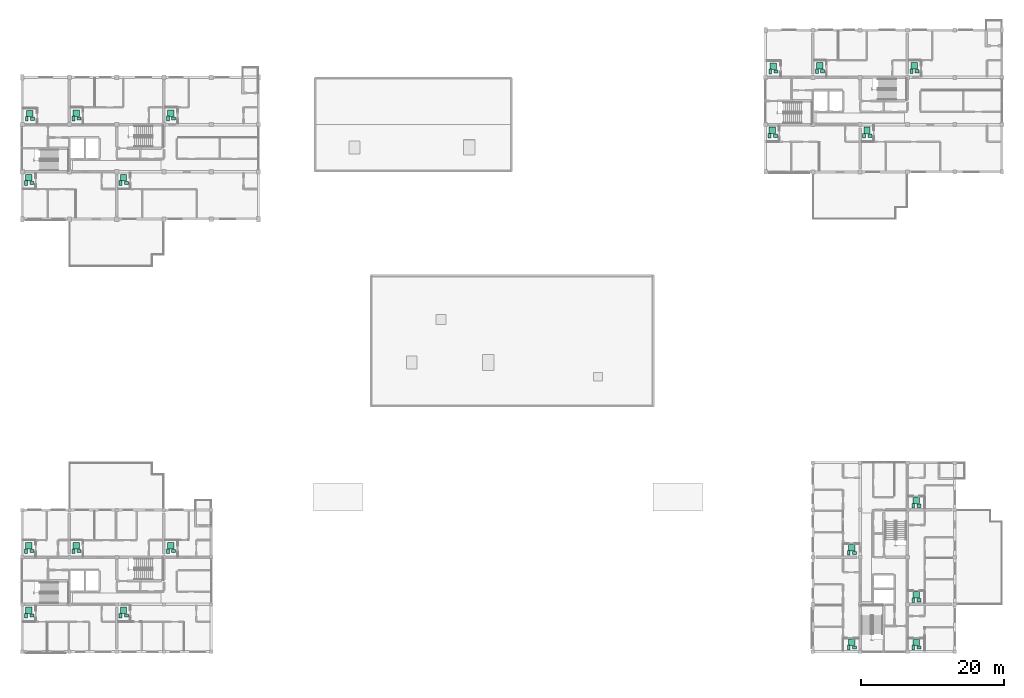
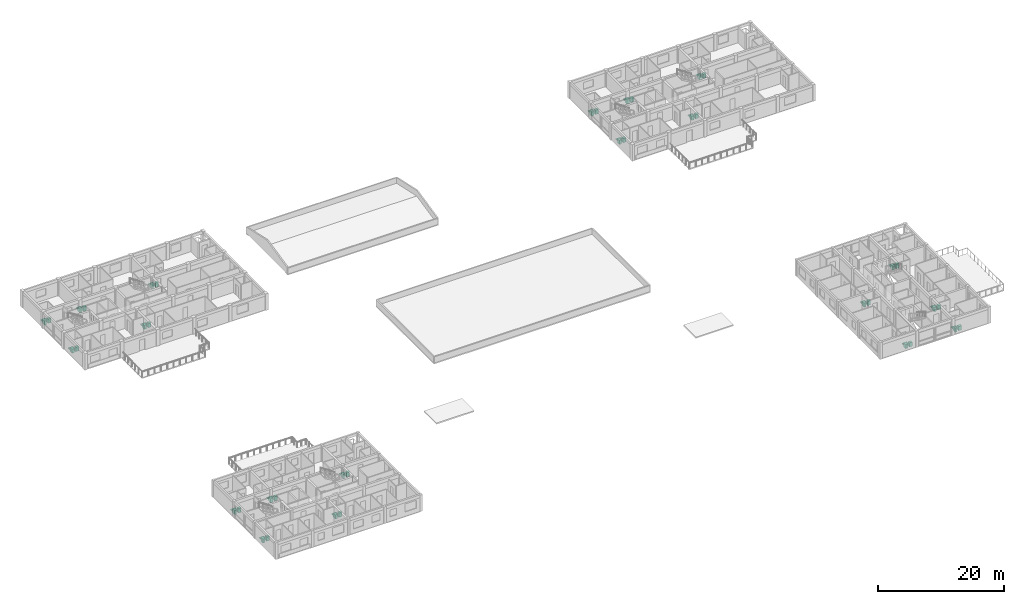
# One storey, part 51 of 51: 60 sanitary terminals.
"""IFC4 building model written with IfcOpenShell, lengths in metres."""

from ifc_helpers import new_model, si_unit, direction, frame, origin, origin_2d, place, context, subcontext, project, spatial, rectangle, extrude, material, type_object, element, save


model = new_model("IFC4")

# Units and contexts
model_context = context("Model", 3, precision=1e-05, world=origin(), true_north=direction((0.0, 1.0)))
body_context = subcontext(model_context, "Body", "Model", "MODEL_VIEW")
ifc_project = project(units=[si_unit("LENGTHUNIT", "METRE"), si_unit("AREAUNIT", "SQUARE_METRE"), si_unit("VOLUMEUNIT", "CUBIC_METRE"), si_unit("PLANEANGLEUNIT", "RADIAN"), si_unit("MASSUNIT", "GRAM", prefix="KILO")], contexts=[model_context])

# Site, building, storey
site_placement = place(None, origin())
site = spatial("IfcSite", under=ifc_project, at=site_placement, CompositionType="ELEMENT")
building_placement = place(site_placement, origin())
building = spatial("IfcBuilding", under=site, at=building_placement, Name="Kernevlak Ridge Housing Community", CompositionType="ELEMENT")
storey_placement = place(building_placement, frame((0.0, 0.0, 8.39990234375)))
storey = spatial("IfcBuildingStorey", under=building, at=storey_placement, Name="L02", CompositionType="ELEMENT", Elevation=8.39990234375)

# Sanitary terminals
ifc_material_1 = material(Name="Vitreous china ceramic")
sanitary_terminal_type_1 = type_object("IfcSanitaryTerminalType", Name="SN-BS", PredefinedType="WASHHANDBASIN", material=ifc_material_1)
for number, where, z_axis, x_axis, name in (
    (1, (16.949951171875, 81.050048828125, 0.0), (0.0, 0.0, 1.0), (1.0, 0.0, 0.0), "Washhand basin 10"),
    (2, (30.14990234375, 81.050048828125, 0.0), (0.0, 0.0, 1.0), (1.0, 0.0, 0.0), "Washhand basin 11"),
    (3, (17.050048828125, 90.0, 0.0), (0.0, 0.0, 1.0), (1.0, 0.0, 0.0), "Washhand basin 12"),
    (4, (23.550048828125, 90.050048828125, 0.0), (0.0, 0.0, 1.0), (1.0, 0.0, 0.0), "Washhand basin 13"),
    (5, (36.75, 90.050048828125, 0.0), (0.0, 0.0, 1.0), (1.0, 0.0, 0.0), "Washhand basin 14"),
    (6, (120.75, 87.64990234375, 0.0), (0.0, 0.0, 1.0), (1.0, 0.0, 0.0), "Washhand basin 107"),
    (7, (133.949951171875, 87.64990234375, 0.0), (0.0, 0.0, 1.0), (1.0, 0.0, 0.0), "Washhand basin 108"),
    (8, (120.85009765625, 96.60009765625, 0.0), (0.0, 0.0, 1.0), (1.0, 0.0, 0.0), "Washhand basin 109"),
    (9, (127.35009765625, 96.64990234375, 0.0), (0.0, 0.0, 1.0), (1.0, 0.0, 0.0), "Washhand basin 110"),
    (10, (140.550048828125, 96.64990234375, 0.0), (0.0, 0.0, 1.0), (1.0, 0.0, 0.0), "Washhand basin 111"),
    (11, (131.800048828125, 16.199951171875, 0.0), (0.0, 0.0, 1.0), (1.0, 0.0, 0.0), "Washhand basin 189"),
    (12, (131.800048828125, 29.39990234375, 0.0), (0.0, 0.0, 1.0), (1.0, 0.0, 0.0), "Washhand basin 190"),
    (13, (140.800048828125, 16.199951171875, 0.0), (0.0, 0.0, 1.0), (1.0, 0.0, 0.0), "Washhand basin 191"),
    (14, (140.800048828125, 22.800048828125, 0.0), (0.0, 0.0, 1.0), (1.0, 0.0, 0.0), "Washhand basin 192"),
    (15, (140.800048828125, 36.0, 0.0), (0.0, 0.0, 1.0), (1.0, 0.0, 0.0), "Washhand basin 193"),
    (16, (16.949951171875, 20.64990234375, 0.0), (0.0, 0.0, 1.0), (1.0, 0.0, 0.0), "Washhand basin 254"),
    (17, (30.14990234375, 20.64990234375, 0.0), (0.0, 0.0, 1.0), (1.0, 0.0, 0.0), "Washhand basin 255"),
    (18, (16.949951171875, 29.64990234375, 0.0), (0.0, 0.0, 1.0), (1.0, 0.0, 0.0), "Washhand basin 256"),
    (19, (23.550048828125, 29.64990234375, 0.0), (0.0, 0.0, 1.0), (1.0, 0.0, 0.0), "Washhand basin 257"),
    (20, (36.75, 29.64990234375, 0.0), (0.0, 0.0, 1.0), (1.0, 0.0, 0.0), "Washhand basin 258"),
):
    element("IfcSanitaryTerminal", number, at=place(storey_placement, frame(where, z_axis=z_axis, x_axis=x_axis)), inside=storey, type_object=sanitary_terminal_type_1, Name=name, PredefinedType="WASHHANDBASIN", context=body_context, shape_type="SweptSolid", body=[
        extrude(rectangle(XDim=0.550048828125, YDim=0.449951171875, at=origin_2d()), origin(), (0.0, 0.0, 1.0), 0.820068359375),
    ])
ifc_material_2 = material(Name="Glazed porcelain ceramic")
sanitary_terminal_type_2 = type_object("IfcSanitaryTerminalType", Name="SN-SH", PredefinedType="SHOWER", material=ifc_material_2)
for number, where, z_axis, x_axis, name in (
    (21, (16.550048828125, 81.800048828125, 0.0), (0.0, 0.0, 1.0), (1.0, 0.0, 0.0), "Shower tray 10"),
    (22, (29.75, 81.800048828125, 0.0), (0.0, 0.0, 1.0), (1.0, 0.0, 0.0), "Shower tray 11"),
    (23, (16.64990234375, 90.75, 0.0), (0.0, 0.0, 1.0), (1.0, 0.0, 0.0), "Shower tray 12"),
    (24, (23.14990234375, 90.800048828125, 0.0), (0.0, 0.0, 1.0), (1.0, 0.0, 0.0), "Shower tray 13"),
    (25, (36.35009765625, 90.800048828125, 0.0), (0.0, 0.0, 1.0), (1.0, 0.0, 0.0), "Shower tray 14"),
    (26, (120.35009765625, 88.39990234375, 0.0), (0.0, 0.0, 1.0), (1.0, 0.0, 0.0), "Shower tray 107"),
    (27, (133.550048828125, 88.39990234375, 0.0), (0.0, 0.0, 1.0), (1.0, 0.0, 0.0), "Shower tray 108"),
    (28, (120.449951171875, 97.35009765625, 0.0), (0.0, 0.0, 1.0), (1.0, 0.0, 0.0), "Shower tray 109"),
    (29, (126.949951171875, 97.39990234375, 0.0), (0.0, 0.0, 1.0), (1.0, 0.0, 0.0), "Shower tray 110"),
    (30, (140.14990234375, 97.39990234375, 0.0), (0.0, 0.0, 1.0), (1.0, 0.0, 0.0), "Shower tray 111"),
    (31, (131.39990234375, 16.949951171875, 0.0), (0.0, 0.0, 1.0), (1.0, 0.0, 0.0), "Shower tray 189"),
    (32, (131.39990234375, 30.14990234375, 0.0), (0.0, 0.0, 1.0), (1.0, 0.0, 0.0), "Shower tray 190"),
    (33, (140.39990234375, 16.949951171875, 0.0), (0.0, 0.0, 1.0), (1.0, 0.0, 0.0), "Shower tray 191"),
    (34, (140.39990234375, 23.550048828125, 0.0), (0.0, 0.0, 1.0), (1.0, 0.0, 0.0), "Shower tray 192"),
    (35, (140.39990234375, 36.75, 0.0), (0.0, 0.0, 1.0), (1.0, 0.0, 0.0), "Shower tray 193"),
    (36, (16.550048828125, 21.39990234375, 0.0), (0.0, 0.0, 1.0), (1.0, 0.0, 0.0), "Shower tray 254"),
    (37, (29.75, 21.39990234375, 0.0), (0.0, 0.0, 1.0), (1.0, 0.0, 0.0), "Shower tray 255"),
    (38, (16.550048828125, 30.39990234375, 0.0), (0.0, 0.0, 1.0), (1.0, 0.0, 0.0), "Shower tray 256"),
    (39, (23.14990234375, 30.39990234375, 0.0), (0.0, 0.0, 1.0), (1.0, 0.0, 0.0), "Shower tray 257"),
    (40, (36.35009765625, 30.39990234375, 0.0), (0.0, 0.0, 1.0), (1.0, 0.0, 0.0), "Shower tray 258"),
):
    element("IfcSanitaryTerminal", number, at=place(storey_placement, frame(where, z_axis=z_axis, x_axis=x_axis)), inside=storey, type_object=sanitary_terminal_type_2, Name=name, PredefinedType="SHOWER", context=body_context, shape_type="SweptSolid", body=[
        extrude(rectangle(XDim=0.89990234375, YDim=0.89990234375, at=origin_2d()), origin(), (0.0, 0.0, 1.0), 0.1201171875),
    ])
sanitary_terminal_type_3 = type_object("IfcSanitaryTerminalType", Name="SN-WC", PredefinedType="TOILETPAN", material=ifc_material_1)
for number, where, z_axis, x_axis, name in (
    (41, (16.14990234375, 81.050048828125, 0.0), (0.0, 0.0, 1.0), (1.0, 0.0, 0.0), "WC pan 10"),
    (42, (29.35009765625, 81.050048828125, 0.0), (0.0, 0.0, 1.0), (1.0, 0.0, 0.0), "WC pan 11"),
    (43, (16.25, 90.0, 0.0), (0.0, 0.0, 1.0), (1.0, 0.0, 0.0), "WC pan 12"),
    (44, (22.75, 90.050048828125, 0.0), (0.0, 0.0, 1.0), (1.0, 0.0, 0.0), "WC pan 13"),
    (45, (35.949951171875, 90.050048828125, 0.0), (0.0, 0.0, 1.0), (1.0, 0.0, 0.0), "WC pan 14"),
    (46, (119.949951171875, 87.64990234375, 0.0), (0.0, 0.0, 1.0), (1.0, 0.0, 0.0), "WC pan 107"),
    (47, (133.14990234375, 87.64990234375, 0.0), (0.0, 0.0, 1.0), (1.0, 0.0, 0.0), "WC pan 108"),
    (48, (120.050048828125, 96.60009765625, 0.0), (0.0, 0.0, 1.0), (1.0, 0.0, 0.0), "WC pan 109"),
    (49, (126.550048828125, 96.64990234375, 0.0), (0.0, 0.0, 1.0), (1.0, 0.0, 0.0), "WC pan 110"),
    (50, (139.75, 96.64990234375, 0.0), (0.0, 0.0, 1.0), (1.0, 0.0, 0.0), "WC pan 111"),
    (51, (131.0, 16.199951171875, 0.0), (0.0, 0.0, 1.0), (1.0, 0.0, 0.0), "WC pan 189"),
    (52, (131.0, 29.39990234375, 0.0), (0.0, 0.0, 1.0), (1.0, 0.0, 0.0), "WC pan 190"),
    (53, (140.0, 16.199951171875, 0.0), (0.0, 0.0, 1.0), (1.0, 0.0, 0.0), "WC pan 191"),
    (54, (140.0, 22.800048828125, 0.0), (0.0, 0.0, 1.0), (1.0, 0.0, 0.0), "WC pan 192"),
    (55, (140.0, 36.0, 0.0), (0.0, 0.0, 1.0), (1.0, 0.0, 0.0), "WC pan 193"),
    (56, (16.14990234375, 20.64990234375, 0.0), (0.0, 0.0, 1.0), (1.0, 0.0, 0.0), "WC pan 254"),
    (57, (29.35009765625, 20.64990234375, 0.0), (0.0, 0.0, 1.0), (1.0, 0.0, 0.0), "WC pan 255"),
    (58, (16.14990234375, 29.64990234375, 0.0), (0.0, 0.0, 1.0), (1.0, 0.0, 0.0), "WC pan 256"),
    (59, (22.75, 29.64990234375, 0.0), (0.0, 0.0, 1.0), (1.0, 0.0, 0.0), "WC pan 257"),
    (60, (35.949951171875, 29.64990234375, 0.0), (0.0, 0.0, 1.0), (1.0, 0.0, 0.0), "WC pan 258"),
):
    element("IfcSanitaryTerminal", number, at=place(storey_placement, frame(where, z_axis=z_axis, x_axis=x_axis)), inside=storey, type_object=sanitary_terminal_type_3, Name=name, PredefinedType="TOILETPAN", context=body_context, shape_type="SweptSolid", body=[
        extrude(rectangle(XDim=0.39990234375, YDim=0.64990234375, at=origin_2d()), origin(), (0.0, 0.0, 1.0), 0.780029296875),
    ])

save(model, "model.ifc")
